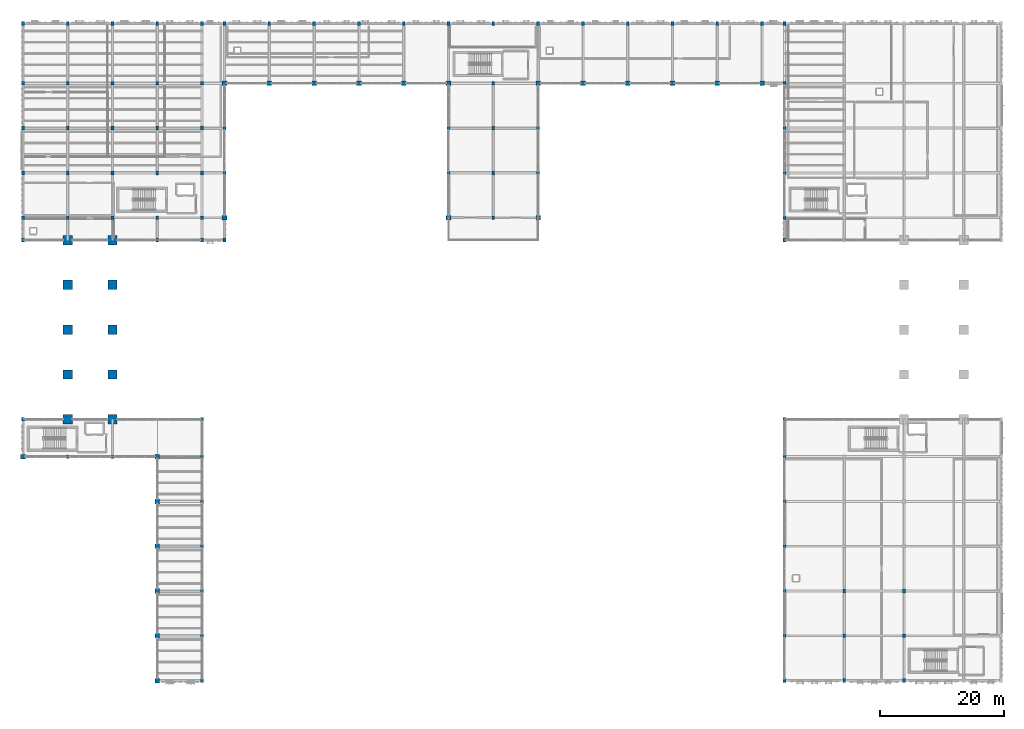
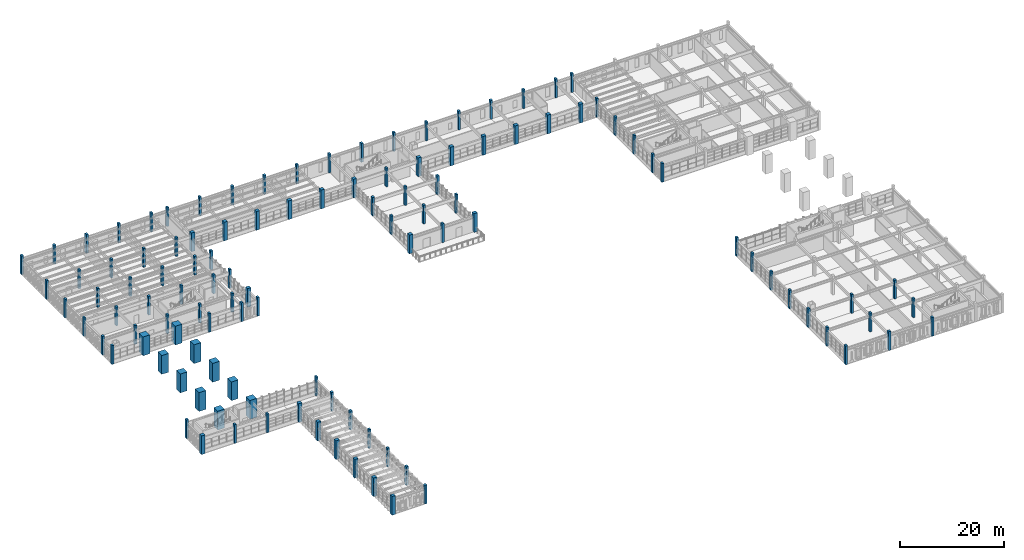
# One storey, part 1 of 69: 113 columns.
"""IFC4 building model written with IfcOpenShell, lengths in metres."""

import ifcopenshell
import ifcopenshell.guid

model = None  # the IFC model being written
_history = None  # IfcOwnerHistory: only IFC2X3 demands one
_inside = {}  # id of a spatial element -> (the spatial element, [elements in it])
_under = {}  # id of a project, library or spatial element -> (it, [spatial elements below it])
_declared = {}  # id of a project -> (the project, [libraries it declares])
_typed = {}  # id of a type object -> (the type object, [elements of that type])
_made_of = {}  # id of a material, layer set ... -> (it, [elements and type objects made of it])


def new_model(schema):
    """Start an empty IFC model of exactly this schema.

    Asked for "IFC4X3", IfcOpenShell would pick the latest addendum, in which some entities
    have other attributes; the version numbers below select the first issue.
    IFC2X3 requires an IfcOwnerHistory on every rooted entity: one is made here for all.
    """
    global model, _history
    if schema == "IFC4X3":
        model = ifcopenshell.file(schema_version=(4, 3, 0, 0))
    else:
        model = ifcopenshell.file(schema=schema)
    _inside.clear()
    _under.clear()
    _declared.clear()
    _typed.clear()
    _made_of.clear()
    _history = None
    if model.schema == "IFC2X3":
        org = make("IfcOrganization", Name="unknown")
        user = make(
            "IfcPersonAndOrganization",
            ThePerson=make("IfcPerson", FamilyName="unknown"),
            TheOrganization=org,
        )
        app = make(
            "IfcApplication",
            ApplicationDeveloper=org,
            Version="unknown",
            ApplicationFullName="unknown",
            ApplicationIdentifier="unknown",
        )
        _history = make(
            "IfcOwnerHistory",
            OwningUser=user,
            OwningApplication=app,
            ChangeAction="ADDED",
            CreationDate=0,
        )
    return model


def make(cls, **values):
    """One entity of the class cls with the attributes given. An attribute that is None is left unset."""
    return model.create_entity(
        cls, **{name: value for name, value in values.items() if value is not None}
    )


def rooted(cls, **values):
    """An entity with a GlobalId (a new one), such as an element, a storey or a relation."""
    return make(cls, GlobalId=ifcopenshell.guid.new(), OwnerHistory=_history, **values)


def si_unit(unit_type, name, prefix=None):
    """IfcSIUnit, for example si_unit("LENGTHUNIT", "METRE", prefix="MILLI")."""
    return make("IfcSIUnit", UnitType=unit_type, Prefix=prefix, Name=name)


def assignment(units):
    """IfcUnitAssignment: the units of a project."""
    return None if units is None else make("IfcUnitAssignment", Units=units)


def point(xyz):
    """IfcCartesianPoint."""
    return None if xyz is None else make("IfcCartesianPoint", Coordinates=xyz)


def direction(xyz):
    """IfcDirection."""
    return None if xyz is None else make("IfcDirection", DirectionRatios=xyz)


def frame(location, z_axis=None, x_axis=None):
    """IfcAxis2Placement3D, a coordinate frame: its origin and axes. An axis left out is left unset."""
    return make(
        "IfcAxis2Placement3D",
        Location=point(location),
        Axis=direction(z_axis),
        RefDirection=direction(x_axis),
    )


def frame_2d(location, x_axis=None):
    """IfcAxis2Placement2D, a coordinate frame in the plane: its origin and x axis."""
    return make(
        "IfcAxis2Placement2D", Location=point(location), RefDirection=direction(x_axis)
    )


def origin():
    """The frame at (0, 0, 0) with its axes left unset."""
    return frame((0.0, 0.0, 0.0))


def origin_2d():
    """The frame at (0, 0) in the plane with its x axis left unset."""
    return frame_2d((0.0, 0.0))


def place(relative_to, where):
    """IfcLocalPlacement: puts the frame where relative to a parent placement (None: the world)."""
    return make(
        "IfcLocalPlacement", PlacementRelTo=relative_to, RelativePlacement=where
    )


def context(
    kind, dimensions, precision=None, world=None, true_north=None, identifier=None
):
    """IfcGeometricRepresentationContext, for example the 3D "Model" context."""
    return make(
        "IfcGeometricRepresentationContext",
        ContextIdentifier=identifier,
        ContextType=kind,
        CoordinateSpaceDimension=dimensions,
        Precision=precision,
        WorldCoordinateSystem=world,
        TrueNorth=true_north,
    )


def subcontext(parent, identifier, kind, view, scale=None):
    """IfcGeometricRepresentationSubContext, for example "Body" below "Model"."""
    return make(
        "IfcGeometricRepresentationSubContext",
        ContextIdentifier=identifier,
        ContextType=kind,
        ParentContext=parent,
        TargetScale=scale,
        TargetView=view,
    )


def project(units=None, contexts=None):
    """IfcProject with its units and contexts."""
    return rooted(
        "IfcProject",
        Name="project",
        RepresentationContexts=contexts,
        UnitsInContext=assignment(units),
    )


def spatial(cls, under=None, at=None, **own):
    """A site, building, storey or space (cls), placed at a placement, below another one or the project."""
    s = rooted(cls, ObjectPlacement=at, **own)
    if under is not None:
        _under.setdefault(under.id(), (under, []))[1].append(s)
    return s


def profile(cls, at=None, kind="AREA", **sizes):
    """A parametric profile (cls). Its sizes go by their IFC names, for example OverallWidth=200.0."""
    return make(cls, ProfileType=kind, Position=at, **sizes)


def rectangle(**sizes):
    """IfcRectangleProfileDef."""
    return profile("IfcRectangleProfileDef", **sizes)


def extrude(swept, where, along, depth):
    """IfcExtrudedAreaSolid: the profile swept, set in the frame where, extruded along a direction by depth."""
    return make(
        "IfcExtrudedAreaSolid",
        SweptArea=swept,
        Position=where,
        ExtrudedDirection=direction(along),
        Depth=depth,
    )


def shape(context_of_items, identifier, shape_type, items):
    """IfcShapeRepresentation: the items that make up one representation, for example the "Body"."""
    return make(
        "IfcShapeRepresentation",
        ContextOfItems=context_of_items,
        RepresentationIdentifier=identifier,
        RepresentationType=shape_type,
        Items=items,
    )


def material(Name=None, Category=None):
    """IfcMaterial."""
    return make("IfcMaterial", Name=Name, Category=Category)


def material_profile(
    of_material, cross_section, Name=None, Category=None, Priority=None
):
    """IfcMaterialProfile: a cross section and its material."""
    return make(
        "IfcMaterialProfile",
        Name=Name,
        Material=of_material,
        Profile=cross_section,
        Priority=Priority,
        Category=Category,
    )


def profile_set(profiles, Name=None, composite=None):
    """IfcMaterialProfileSet."""
    return make(
        "IfcMaterialProfileSet",
        Name=Name,
        MaterialProfiles=profiles,
        CompositeProfile=composite,
    )


def made_of(thing, what):
    """Note that an element or type object is made of a material, layer set ...; save() writes the relation."""
    if what is not None:
        _made_of.setdefault(what.id(), (what, []))[1].append(thing)
    return thing


def type_object(cls, material=None, **own):
    """A type object (cls), such as IfcWallType, which elements share."""
    return made_of(rooted(cls, **own), material)


def element(
    cls,
    number,
    at=None,
    inside=None,
    cuts=None,
    type_object=None,
    material=None,
    context=None,
    identifier="Body",
    shape_type=None,
    held_by="IfcProductDefinitionShape",
    body=None,
    shapes=None,
    **own,
):
    """One element of the class cls, such as IfcWall. Its Tag is "e" and its number.

    at: its placement. inside: the storey or other place that contains it. cuts: it is an
    opening in that element (IfcRelVoidsElement). A single representation is given by context,
    identifier, shape_type and body (its items); several are given by shapes. held_by: the class
    of the entity that holds the representations. save() writes the other relations.
    """
    e = rooted(cls, Tag="e%d" % number, ObjectPlacement=at, **own)
    if body is not None:
        shapes = [shape(context, identifier, shape_type, body)]
    if shapes is not None:
        e.Representation = make(held_by, Representations=shapes)
    if inside is not None:
        _inside.setdefault(inside.id(), (inside, []))[1].append(e)
    if cuts is not None:
        rooted(
            "IfcRelVoidsElement", RelatingBuildingElement=cuts, RelatedOpeningElement=e
        )
    if type_object is not None:
        _typed.setdefault(type_object.id(), (type_object, []))[1].append(e)
    return made_of(e, material)


def aggregate(whole, parts):
    """IfcRelAggregates: a whole, such as a stair, and the parts it consists of."""
    return rooted("IfcRelAggregates", RelatingObject=whole, RelatedObjects=parts)


def save(model, path):
    """Write the relations noted so far, then the file.

    IfcRelAggregates (storeys below a building ...), IfcRelContainedInSpatialStructure (elements
    in a storey), IfcRelDefinesByType, IfcRelAssociatesMaterial and IfcRelDeclares: one each for
    every whole, place, type object, material and project.
    """
    for whole, parts in _under.values():
        aggregate(whole, parts)
    for where, things in _inside.values():
        rooted(
            "IfcRelContainedInSpatialStructure",
            RelatedElements=things,
            RelatingStructure=where,
        )
    for kind, things in _typed.values():
        rooted("IfcRelDefinesByType", RelatedObjects=things, RelatingType=kind)
    for what, things in _made_of.values():
        rooted("IfcRelAssociatesMaterial", RelatedObjects=things, RelatingMaterial=what)
    for by, libraries in _declared.values():
        rooted("IfcRelDeclares", RelatingContext=by, RelatedDefinitions=libraries)
    model.write(path)


model = new_model("IFC4")

# Units and contexts
model_context = context("Model", 3, precision=1e-05, world=origin(), true_north=direction((0.0, 1.0)))
body_context = subcontext(model_context, "Body", "Model", "MODEL_VIEW")
ifc_project = project(units=[si_unit("LENGTHUNIT", "METRE"), si_unit("AREAUNIT", "SQUARE_METRE"), si_unit("VOLUMEUNIT", "CUBIC_METRE"), si_unit("PLANEANGLEUNIT", "RADIAN"), si_unit("MASSUNIT", "GRAM", prefix="KILO")], contexts=[model_context])

# Site, building, storey
site_placement = place(None, origin())
site = spatial("IfcSite", under=ifc_project, at=site_placement, CompositionType="ELEMENT")
building_placement = place(site_placement, origin())
building = spatial("IfcBuilding", under=site, at=building_placement, Name="Nzembalo Square Collegiate School", CompositionType="ELEMENT")
storey_placement = place(building_placement, frame((0.0, 0.0, 5.10009765625)))
storey = spatial("IfcBuildingStorey", under=building, at=storey_placement, Name="L01", CompositionType="ELEMENT", Elevation=5.10009765625)

# Columns
ifc_material_1 = material(Name="Concrete C40/50", Category="concrete")
ifc_material_profile_1 = material_profile(ifc_material_1, rectangle(XDim=1.5, YDim=1.5, at=origin_2d()), Name="RC 1500x1500")
ifc_profile_set_1 = profile_set([ifc_material_profile_1], Name="Concrete C40/50")
column_type_1 = type_object("IfcColumnType", Name="C01", PredefinedType="COLUMN", material=ifc_profile_set_1)
for number, where, z_axis, x_axis, name in (
    (1, (15.60009765625, 50.39990234375, 0.0), (0.0, 0.0, 1.0), (1.0, 0.0, 0.0), "Column C01 L01 3/H"),
    (2, (15.60009765625, 57.60009765625, 0.0), (0.0, 0.0, 1.0), (1.0, 0.0, 0.0), "Column C01 L01 3/I"),
    (3, (15.60009765625, 64.800048828125, 0.0), (0.0, 0.0, 1.0), (1.0, 0.0, 0.0), "Column C01 L01 3/J"),
    (4, (15.60009765625, 72.0, 0.0), (0.0, 0.0, 1.0), (1.0, 0.0, 0.0), "Column C01 L01 3/K"),
    (5, (15.60009765625, 79.199951171875, 0.0), (0.0, 0.0, 1.0), (1.0, 0.0, 0.0), "Column C01 L01 3/L"),
    (6, (22.800048828125, 50.39990234375, 0.0), (0.0, 0.0, 1.0), (1.0, 0.0, 0.0), "Column C01 L01 4/H"),
    (7, (22.800048828125, 57.60009765625, 0.0), (0.0, 0.0, 1.0), (1.0, 0.0, 0.0), "Column C01 L01 4/I"),
    (8, (22.800048828125, 64.800048828125, 0.0), (0.0, 0.0, 1.0), (1.0, 0.0, 0.0), "Column C01 L01 4/J"),
    (9, (22.800048828125, 72.0, 0.0), (0.0, 0.0, 1.0), (1.0, 0.0, 0.0), "Column C01 L01 4/K"),
    (10, (22.800048828125, 79.199951171875, 0.0), (0.0, 0.0, 1.0), (1.0, 0.0, 0.0), "Column C01 L01 4/L"),
):
    element("IfcColumn", number, at=place(storey_placement, frame(where, z_axis=z_axis, x_axis=x_axis)), inside=storey, type_object=column_type_1, Name=name, PredefinedType="COLUMN", context=body_context, shape_type="SweptSolid", body=[
        extrude(rectangle(XDim=1.5, YDim=1.5, at=origin_2d()), origin(), (0.0, 0.0, 1.0), 4.419921875),
    ])
ifc_material_2 = material(Name="Concrete C40/50", Category="concrete")
ifc_material_profile_2 = material_profile(ifc_material_2, rectangle(XDim=0.75, YDim=0.75, at=origin_2d()), Name="RC 750x750")
ifc_profile_set_2 = profile_set([ifc_material_profile_2], Name="Concrete C40/50")
column_type_2 = type_object("IfcColumnType", Name="C02", PredefinedType="COLUMN", material=ifc_profile_set_2)
for number, where, z_axis, x_axis, name in (
    (11, (62.39990234375, 104.39990234375, 0.0), (0.0, 0.0, 1.0), (1.0, 0.0, 0.0), "Column C02 L01 10/P"),
    (12, (69.60009765625, 104.39990234375, 0.0), (0.0, 0.0, 1.0), (1.0, 0.0, 0.0), "Column C02 L01 11/P"),
    (13, (76.800048828125, 82.800048828125, 0.0), (0.0, 0.0, 1.0), (1.0, 0.0, 0.0), "Column C02 L01 12/M"),
    (14, (76.800048828125, 104.39990234375, 0.0), (0.0, 0.0, 1.0), (1.0, 0.0, 0.0), "Column C02 L01 12/P"),
    (15, (91.199951171875, 82.800048828125, 0.0), (0.0, 0.0, 1.0), (1.0, 0.0, 0.0), "Column C02 L01 14/M"),
    (16, (91.199951171875, 104.39990234375, 0.0), (0.0, 0.0, 1.0), (1.0, 0.0, 0.0), "Column C02 L01 14/P"),
    (17, (98.39990234375, 104.39990234375, 0.0), (0.0, 0.0, 1.0), (1.0, 0.0, 0.0), "Column C02 L01 15/P"),
    (18, (105.60009765625, 104.39990234375, 0.0), (0.0, 0.0, 1.0), (1.0, 0.0, 0.0), "Column C02 L01 16/P"),
    (19, (112.800048828125, 104.39990234375, 0.0), (0.0, 0.0, 1.0), (1.0, 0.0, 0.0), "Column C02 L01 17/P"),
    (20, (120.0, 104.39990234375, 0.0), (0.0, 0.0, 1.0), (1.0, 0.0, 0.0), "Column C02 L01 18/P"),
    (21, (127.199951171875, 104.39990234375, 0.0), (0.0, 0.0, 1.0), (1.0, 0.0, 0.0), "Column C02 L01 19/P"),
    (22, (8.39990234375, 44.39990234375, 0.0), (0.0, 0.0, 1.0), (1.0, 0.0, 0.0), "Column C02 L01 2/G"),
    (23, (30.0, 8.39990234375, 0.0), (0.0, 0.0, 1.0), (1.0, 0.0, 0.0), "Column C02 L01 5/B"),
    (24, (30.0, 15.60009765625, 0.0), (0.0, 0.0, 1.0), (1.0, 0.0, 0.0), "Column C02 L01 5/C"),
    (25, (30.0, 22.800048828125, 0.0), (0.0, 0.0, 1.0), (1.0, 0.0, 0.0), "Column C02 L01 5/D"),
    (26, (30.0, 30.0, 0.0), (0.0, 0.0, 1.0), (1.0, 0.0, 0.0), "Column C02 L01 5/E"),
    (27, (30.0, 37.199951171875, 0.0), (0.0, 0.0, 1.0), (1.0, 0.0, 0.0), "Column C02 L01 5/F"),
    (28, (30.0, 44.39990234375, 0.0), (0.0, 0.0, 1.0), (1.0, 0.0, 0.0), "Column C02 L01 5/G"),
    (29, (40.800048828125, 82.800048828125, 0.0), (0.0, 0.0, 1.0), (1.0, 0.0, 0.0), "Column C02 L01 7/M"),
    (30, (40.800048828125, 104.39990234375, 0.0), (0.0, 0.0, 1.0), (1.0, 0.0, 0.0), "Column C02 L01 7/P"),
    (31, (48.0, 104.39990234375, 0.0), (0.0, 0.0, 1.0), (1.0, 0.0, 0.0), "Column C02 L01 8/P"),
    (32, (55.199951171875, 104.39990234375, 0.0), (0.0, 0.0, 1.0), (1.0, 0.0, 0.0), "Column C02 L01 9/P"),
):
    element("IfcColumn", number, at=place(storey_placement, frame(where, z_axis=z_axis, x_axis=x_axis)), inside=storey, type_object=column_type_2, Name=name, PredefinedType="COLUMN", context=body_context, shape_type="SweptSolid", body=[
        extrude(rectangle(XDim=0.75, YDim=0.75, at=origin_2d()), origin(), (0.0, 0.0, 1.0), 4.419921875),
    ])
ifc_material_3 = material(Name="Concrete C35/45", Category="concrete")
ifc_material_profile_3 = material_profile(ifc_material_3, rectangle(XDim=0.449951171875, YDim=0.60009765625, at=origin_2d()), Name="RC 450x600")
ifc_profile_set_3 = profile_set([ifc_material_profile_3], Name="Concrete C35/45")
column_type_3 = type_object("IfcColumnType", Name="C04", PredefinedType="COLUMN", material=ifc_profile_set_3)
for number, where, z_axis, x_axis, name in (
    (33, (62.39990234375, 114.0, 0.0), (0.0, 0.0, 1.0), (1.0, 0.0, 0.0), "Column C04 L01 10/Q"),
    (34, (69.60009765625, 114.0, 0.0), (0.0, 0.0, 1.0), (1.0, 0.0, 0.0), "Column C04 L01 11/Q"),
    (35, (76.800048828125, 90.0, 0.0), (0.0, 0.0, 1.0), (1.0, 0.0, 0.0), "Column C04 L01 12/N"),
    (36, (76.800048828125, 97.199951171875, 0.0), (0.0, 0.0, 1.0), (1.0, 0.0, 0.0), "Column C04 L01 12/O"),
    (37, (76.800048828125, 114.0, 0.0), (0.0, 0.0, 1.0), (1.0, 0.0, 0.0), "Column C04 L01 12/Q"),
    (38, (84.0, 82.800048828125, 0.0), (0.0, 0.0, 1.0), (1.0, 0.0, 0.0), "Column C04 L01 13/M"),
    (39, (84.0, 90.0, 0.0), (0.0, 0.0, 1.0), (1.0, 0.0, 0.0), "Column C04 L01 13/N"),
    (40, (84.0, 97.199951171875, 0.0), (0.0, 0.0, 1.0), (1.0, 0.0, 0.0), "Column C04 L01 13/O"),
    (41, (84.0, 104.39990234375, 0.0), (0.0, 0.0, 1.0), (1.0, 0.0, 0.0), "Column C04 L01 13/P"),
    (42, (84.0, 114.0, 0.0), (0.0, 0.0, 1.0), (1.0, 0.0, 0.0), "Column C04 L01 13/Q"),
    (43, (91.199951171875, 90.0, 0.0), (0.0, 0.0, 1.0), (1.0, 0.0, 0.0), "Column C04 L01 14/N"),
    (44, (91.199951171875, 97.199951171875, 0.0), (0.0, 0.0, 1.0), (1.0, 0.0, 0.0), "Column C04 L01 14/O"),
    (45, (91.199951171875, 114.0, 0.0), (0.0, 0.0, 1.0), (1.0, 0.0, 0.0), "Column C04 L01 14/Q"),
    (46, (98.39990234375, 114.0, 0.0), (0.0, 0.0, 1.0), (1.0, 0.0, 0.0), "Column C04 L01 15/Q"),
    (47, (105.60009765625, 114.0, 0.0), (0.0, 0.0, 1.0), (1.0, 0.0, 0.0), "Column C04 L01 16/Q"),
    (48, (112.800048828125, 114.0, 0.0), (0.0, 0.0, 1.0), (1.0, 0.0, 0.0), "Column C04 L01 17/Q"),
    (49, (120.0, 114.0, 0.0), (0.0, 0.0, 1.0), (1.0, 0.0, 0.0), "Column C04 L01 18/Q"),
    (50, (127.199951171875, 114.0, 0.0), (0.0, 0.0, 1.0), (1.0, 0.0, 0.0), "Column C04 L01 19/Q"),
    (51, (8.39990234375, 50.39990234375, 0.0), (0.0, 0.0, 1.0), (1.0, 0.0, 0.0), "Column C04 L01 2/H"),
    (52, (8.39990234375, 79.199951171875, 0.0), (0.0, 0.0, 1.0), (1.0, 0.0, 0.0), "Column C04 L01 2/L"),
    (53, (8.39990234375, 82.800048828125, 0.0), (0.0, 0.0, 1.0), (1.0, 0.0, 0.0), "Column C04 L01 2/M"),
    (54, (8.39990234375, 90.0, 0.0), (0.0, 0.0, 1.0), (1.0, 0.0, 0.0), "Column C04 L01 2/N"),
    (55, (8.39990234375, 97.199951171875, 0.0), (0.0, 0.0, 1.0), (1.0, 0.0, 0.0), "Column C04 L01 2/O"),
    (56, (8.39990234375, 104.39990234375, 0.0), (0.0, 0.0, 1.0), (1.0, 0.0, 0.0), "Column C04 L01 2/P"),
    (57, (8.39990234375, 114.0, 0.0), (0.0, 0.0, 1.0), (1.0, 0.0, 0.0), "Column C04 L01 2/Q"),
    (58, (130.800048828125, 8.39990234375, 0.0), (0.0, 0.0, 1.0), (1.0, 0.0, 0.0), "Column C04 L01 20/B"),
    (59, (130.800048828125, 15.60009765625, 0.0), (0.0, 0.0, 1.0), (1.0, 0.0, 0.0), "Column C04 L01 20/C"),
    (60, (130.800048828125, 22.800048828125, 0.0), (0.0, 0.0, 1.0), (1.0, 0.0, 0.0), "Column C04 L01 20/D"),
    (61, (130.800048828125, 30.0, 0.0), (0.0, 0.0, 1.0), (1.0, 0.0, 0.0), "Column C04 L01 20/E"),
    (62, (130.800048828125, 37.199951171875, 0.0), (0.0, 0.0, 1.0), (1.0, 0.0, 0.0), "Column C04 L01 20/F"),
    (63, (130.800048828125, 44.39990234375, 0.0), (0.0, 0.0, 1.0), (1.0, 0.0, 0.0), "Column C04 L01 20/G"),
    (64, (130.800048828125, 50.39990234375, 0.0), (0.0, 0.0, 1.0), (1.0, 0.0, 0.0), "Column C04 L01 20/H"),
    (65, (130.800048828125, 79.199951171875, 0.0), (0.0, 0.0, 1.0), (1.0, 0.0, 0.0), "Column C04 L01 20/L"),
    (66, (130.800048828125, 82.800048828125, 0.0), (0.0, 0.0, 1.0), (1.0, 0.0, 0.0), "Column C04 L01 20/M"),
    (67, (130.800048828125, 90.0, 0.0), (0.0, 0.0, 1.0), (1.0, 0.0, 0.0), "Column C04 L01 20/N"),
    (68, (130.800048828125, 97.199951171875, 0.0), (0.0, 0.0, 1.0), (1.0, 0.0, 0.0), "Column C04 L01 20/O"),
    (69, (130.800048828125, 104.39990234375, 0.0), (0.0, 0.0, 1.0), (1.0, 0.0, 0.0), "Column C04 L01 20/P"),
    (70, (130.800048828125, 114.0, 0.0), (0.0, 0.0, 1.0), (1.0, 0.0, 0.0), "Column C04 L01 20/Q"),
    (71, (140.39990234375, 8.39990234375, 0.0), (0.0, 0.0, 1.0), (1.0, 0.0, 0.0), "Column C04 L01 21/B"),
    (72, (140.39990234375, 15.60009765625, 0.0), (0.0, 0.0, 1.0), (1.0, 0.0, 0.0), "Column C04 L01 21/C"),
    (73, (140.39990234375, 22.800048828125, 0.0), (0.0, 0.0, 1.0), (1.0, 0.0, 0.0), "Column C04 L01 21/D"),
    (74, (150.0, 8.39990234375, 0.0), (0.0, 0.0, 1.0), (1.0, 0.0, 0.0), "Column C04 L01 22/B"),
    (75, (150.0, 15.60009765625, 0.0), (0.0, 0.0, 1.0), (1.0, 0.0, 0.0), "Column C04 L01 22/C"),
    (76, (150.0, 22.800048828125, 0.0), (0.0, 0.0, 1.0), (1.0, 0.0, 0.0), "Column C04 L01 22/D"),
    (77, (15.60009765625, 44.39990234375, 0.0), (0.0, 0.0, 1.0), (1.0, 0.0, 0.0), "Column C04 L01 3/G"),
    (78, (15.60009765625, 82.800048828125, 0.0), (0.0, 0.0, 1.0), (1.0, 0.0, 0.0), "Column C04 L01 3/M"),
    (79, (15.60009765625, 90.0, 0.0), (0.0, 0.0, 1.0), (1.0, 0.0, 0.0), "Column C04 L01 3/N"),
    (80, (15.60009765625, 97.199951171875, 0.0), (0.0, 0.0, 1.0), (1.0, 0.0, 0.0), "Column C04 L01 3/O"),
    (81, (15.60009765625, 104.39990234375, 0.0), (0.0, 0.0, 1.0), (1.0, 0.0, 0.0), "Column C04 L01 3/P"),
    (82, (15.60009765625, 114.0, 0.0), (0.0, 0.0, 1.0), (1.0, 0.0, 0.0), "Column C04 L01 3/Q"),
    (83, (22.800048828125, 44.39990234375, 0.0), (0.0, 0.0, 1.0), (1.0, 0.0, 0.0), "Column C04 L01 4/G"),
    (84, (22.800048828125, 82.800048828125, 0.0), (0.0, 0.0, 1.0), (1.0, 0.0, 0.0), "Column C04 L01 4/M"),
    (85, (22.800048828125, 90.0, 0.0), (0.0, 0.0, 1.0), (1.0, 0.0, 0.0), "Column C04 L01 4/N"),
    (86, (22.800048828125, 97.199951171875, 0.0), (0.0, 0.0, 1.0), (1.0, 0.0, 0.0), "Column C04 L01 4/O"),
    (87, (22.800048828125, 104.39990234375, 0.0), (0.0, 0.0, 1.0), (1.0, 0.0, 0.0), "Column C04 L01 4/P"),
    (88, (22.800048828125, 114.0, 0.0), (0.0, 0.0, 1.0), (1.0, 0.0, 0.0), "Column C04 L01 4/Q"),
    (89, (30.0, 79.199951171875, 0.0), (0.0, 0.0, 1.0), (1.0, 0.0, 0.0), "Column C04 L01 5/L"),
    (90, (30.0, 82.800048828125, 0.0), (0.0, 0.0, 1.0), (1.0, 0.0, 0.0), "Column C04 L01 5/M"),
    (91, (30.0, 90.0, 0.0), (0.0, 0.0, 1.0), (1.0, 0.0, 0.0), "Column C04 L01 5/N"),
    (92, (30.0, 97.199951171875, 0.0), (0.0, 0.0, 1.0), (1.0, 0.0, 0.0), "Column C04 L01 5/O"),
    (93, (30.0, 104.39990234375, 0.0), (0.0, 0.0, 1.0), (1.0, 0.0, 0.0), "Column C04 L01 5/P"),
    (94, (30.0, 114.0, 0.0), (0.0, 0.0, 1.0), (1.0, 0.0, 0.0), "Column C04 L01 5/Q"),
    (95, (37.199951171875, 8.39990234375, 0.0), (0.0, 0.0, 1.0), (1.0, 0.0, 0.0), "Column C04 L01 6/B"),
    (96, (37.199951171875, 15.60009765625, 0.0), (0.0, 0.0, 1.0), (1.0, 0.0, 0.0), "Column C04 L01 6/C"),
    (97, (37.199951171875, 22.800048828125, 0.0), (0.0, 0.0, 1.0), (1.0, 0.0, 0.0), "Column C04 L01 6/D"),
    (98, (37.199951171875, 30.0, 0.0), (0.0, 0.0, 1.0), (1.0, 0.0, 0.0), "Column C04 L01 6/E"),
    (99, (37.199951171875, 37.199951171875, 0.0), (0.0, 0.0, 1.0), (1.0, 0.0, 0.0), "Column C04 L01 6/F"),
    (100, (37.199951171875, 44.39990234375, 0.0), (0.0, 0.0, 1.0), (1.0, 0.0, 0.0), "Column C04 L01 6/G"),
    (101, (37.199951171875, 50.39990234375, 0.0), (0.0, 0.0, 1.0), (1.0, 0.0, 0.0), "Column C04 L01 6/H"),
    (102, (37.199951171875, 79.199951171875, 0.0), (0.0, 0.0, 1.0), (1.0, 0.0, 0.0), "Column C04 L01 6/L"),
    (103, (37.199951171875, 82.800048828125, 0.0), (0.0, 0.0, 1.0), (1.0, 0.0, 0.0), "Column C04 L01 6/M"),
    (104, (37.199951171875, 90.0, 0.0), (0.0, 0.0, 1.0), (1.0, 0.0, 0.0), "Column C04 L01 6/N"),
    (105, (37.199951171875, 97.199951171875, 0.0), (0.0, 0.0, 1.0), (1.0, 0.0, 0.0), "Column C04 L01 6/O"),
    (106, (37.199951171875, 104.39990234375, 0.0), (0.0, 0.0, 1.0), (1.0, 0.0, 0.0), "Column C04 L01 6/P"),
    (107, (37.199951171875, 114.0, 0.0), (0.0, 0.0, 1.0), (1.0, 0.0, 0.0), "Column C04 L01 6/Q"),
    (108, (40.800048828125, 79.199951171875, 0.0), (0.0, 0.0, 1.0), (1.0, 0.0, 0.0), "Column C04 L01 7/L"),
    (109, (40.800048828125, 90.0, 0.0), (0.0, 0.0, 1.0), (1.0, 0.0, 0.0), "Column C04 L01 7/N"),
    (110, (40.800048828125, 97.199951171875, 0.0), (0.0, 0.0, 1.0), (1.0, 0.0, 0.0), "Column C04 L01 7/O"),
    (111, (40.800048828125, 114.0, 0.0), (0.0, 0.0, 1.0), (1.0, 0.0, 0.0), "Column C04 L01 7/Q"),
    (112, (48.0, 114.0, 0.0), (0.0, 0.0, 1.0), (1.0, 0.0, 0.0), "Column C04 L01 8/Q"),
    (113, (55.199951171875, 114.0, 0.0), (0.0, 0.0, 1.0), (1.0, 0.0, 0.0), "Column C04 L01 9/Q"),
):
    element("IfcColumn", number, at=place(storey_placement, frame(where, z_axis=z_axis, x_axis=x_axis)), inside=storey, type_object=column_type_3, Name=name, PredefinedType="COLUMN", context=body_context, shape_type="SweptSolid", body=[
        extrude(rectangle(XDim=0.449951171875, YDim=0.60009765625, at=origin_2d()), origin(), (0.0, 0.0, 1.0), 4.419921875),
    ])

save(model, "model.ifc")
